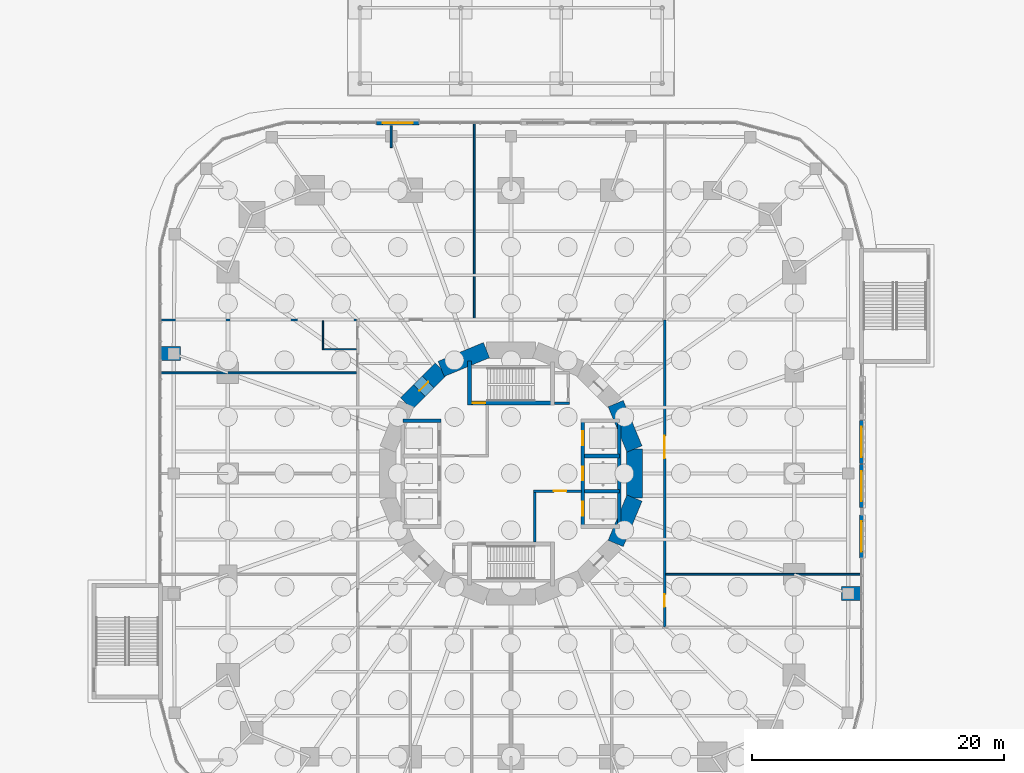
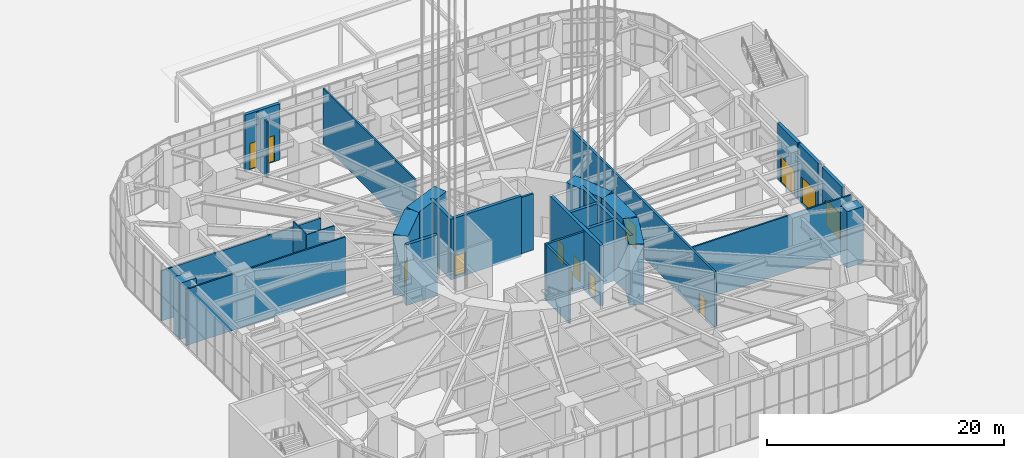
# One storey, part 27 of 43: 29 walls, 12 doors, 12 openings.
"""IFC4 building model written with IfcOpenShell, lengths in metres."""

from ifc_helpers import new_model, si_unit, direction, frame, frame_2d, origin, place, context, subcontext, project, spatial, rectangle, extrude, material, layer, layer_set, type_object, element, fill, save


model = new_model("IFC4")

# Units and contexts
model_context = context("Model", 3, precision=1e-05, world=origin(), true_north=direction((0.0, 1.0)))
body_context = subcontext(model_context, "Body", "Model", "MODEL_VIEW")
ifc_project = project(units=[si_unit("LENGTHUNIT", "METRE"), si_unit("AREAUNIT", "SQUARE_METRE"), si_unit("VOLUMEUNIT", "CUBIC_METRE"), si_unit("PLANEANGLEUNIT", "RADIAN"), si_unit("MASSUNIT", "GRAM", prefix="KILO")], contexts=[model_context])

# Site, building, storey
site_placement = place(None, origin())
site = spatial("IfcSite", under=ifc_project, at=site_placement, CompositionType="ELEMENT")
building_placement = place(site_placement, origin())
building = spatial("IfcBuilding", under=site, at=building_placement, Name="Nakasero Lantern House", CompositionType="ELEMENT")
storey_placement = place(building_placement, origin())
storey = spatial("IfcBuildingStorey", under=building, at=storey_placement, Name="L00", CompositionType="ELEMENT", Elevation=0.0)

# Walls
ifc_material_1 = material(Name="Blockwork", Category="masonry")
ifc_layer_1 = layer(ifc_material_1, 1.10009765625)
ifc_layer_set_1 = layer_set([ifc_layer_1], Name="Column pier 1100")
wall_type_1 = type_object("IfcWallType", Name="Column pier 1100", PredefinedType="PARTITIONING", material=ifc_layer_set_1)
for number, where, z_axis, x_axis, name in (
    (1, (26.25, -9.52880859375, 0.0), (0.0, 0.0, 1.0), (1.0, 0.0, 0.0), "Column pier L00 PN0-00-2"),
    (2, (-26.25, 9.52880859375, 0.0), (0.0, 0.0, 1.0), (-1.0, 0.0, 0.0), "Column pier L00 PN2-00-2"),
):
    element("IfcWall", number, at=place(storey_placement, frame(where, z_axis=z_axis, x_axis=x_axis)), inside=storey, type_object=wall_type_1, Name=name, PredefinedType="PARTITIONING", context=body_context, shape_type="SweptSolid", body=[
        extrude(rectangle(XDim=1.60009765625, YDim=1.10009765625, at=frame_2d((0.800048828125, 0.0))), origin(), (0.0, 0.0, 1.0), 5.800048828125),
    ])

# Wall, openings, doors
ifc_material_2 = material(Name="Concrete C50/60", Category="concrete")
ifc_layer_2 = layer(ifc_material_2, 0.300048828125)
ifc_layer_set_2 = layer_set([ifc_layer_2], Name="Core inner wall 300")
wall_type_2 = type_object("IfcWallType", Name="Core inner wall 300", PredefinedType="SHEAR", material=ifc_layer_set_2)
wall_1_placement = place(storey_placement, frame((5.699951171875, -4.199951171875, -0.25), z_axis=(0.0, 0.0, 1.0), x_axis=(0.0, 1.0, 0.0)))
wall_1 = element("IfcWall", 3, at=wall_1_placement, inside=storey, type_object=wall_type_2, Name="Core inner wall L00 LE", PredefinedType="SHEAR", context=body_context, shape_type="SweptSolid", body=[
    extrude(rectangle(XDim=8.39990234375, YDim=0.300048828125, at=frame_2d((4.199951171875, 0.0))), origin(), (0.0, 0.0, 1.0), 6.25),
])
opening_1_placement = place(wall_1_placement, frame((0.85009765625, 0.0, 0.25)))
opening_1 = element("IfcOpeningElement", 4, at=opening_1_placement, cuts=wall_1, Name="Opening LD", PredefinedType="OPENING", context=body_context, shape_type="SweptSolid", body=[
    extrude(rectangle(XDim=1.10009765625, YDim=2.10009765625, at=frame_2d((0.550048828125, 1.050048828125))), frame((0.0, 0.169921875, 0.0), z_axis=(0.0, -1.0, 0.0), x_axis=(1.0, 0.0, 0.0)), (0.0, 0.0, 1.0), 0.340087890625),
])
opening_2_placement = place(wall_1_placement, frame((3.64990234375, 0.0, 0.25)))
opening_2 = element("IfcOpeningElement", 5, at=opening_2_placement, cuts=wall_1, Name="Opening LD", PredefinedType="OPENING", context=body_context, shape_type="SweptSolid", body=[
    extrude(rectangle(XDim=1.10009765625, YDim=2.10009765625, at=frame_2d((0.550048828125, 1.050048828125))), frame((0.0, 0.169921875, 0.0), z_axis=(0.0, -1.0, 0.0), x_axis=(1.0, 0.0, 0.0)), (0.0, 0.0, 1.0), 0.340087890625),
])
opening_3_placement = place(wall_1_placement, frame((6.449951171875, 0.0, 0.25)))
opening_3 = element("IfcOpeningElement", 6, at=opening_3_placement, cuts=wall_1, Name="Opening LD", PredefinedType="OPENING", context=body_context, shape_type="SweptSolid", body=[
    extrude(rectangle(XDim=1.10009765625, YDim=2.10009765625, at=frame_2d((0.550048828125, 1.050048828125))), frame((0.0, 0.169921875, 0.0), z_axis=(0.0, -1.0, 0.0), x_axis=(1.0, 0.0, 0.0)), (0.0, 0.0, 1.0), 0.340087890625),
])
ifc_material_3 = material(Name="Steel S355", Category="steel")
door_type_1 = type_object("IfcDoorType", Name="Lift landing door E120 1100", OperationType="SLIDING_TO_LEFT", PredefinedType="DOOR", material=ifc_material_3)
door_1_placement = place(opening_1_placement, origin())
door_1 = element("IfcDoor", 7, at=door_1_placement, inside=storey, type_object=door_type_1, Name="Lift landing door LE1", OperationType="SLIDING_TO_LEFT", OverallHeight=2.10009765625, OverallWidth=1.10009765625, PredefinedType="DOOR", context=body_context, shape_type="SweptSolid", body=[
    extrude(rectangle(XDim=1.10009765625, YDim=2.10009765625, at=frame_2d((0.550048828125, 1.050048828125))), frame((0.0, 0.02490234375, 0.0), z_axis=(0.0, -1.0, 0.0), x_axis=(1.0, 0.0, 0.0)), (0.0, 0.0, 1.0), 0.050048828125),
])
fill(opening_1, door_1)
door_2_placement = place(opening_2_placement, origin())
door_2 = element("IfcDoor", 8, at=door_2_placement, inside=storey, type_object=door_type_1, Name="Lift landing door LE2", OperationType="SLIDING_TO_LEFT", OverallHeight=2.10009765625, OverallWidth=1.10009765625, PredefinedType="DOOR", context=body_context, shape_type="SweptSolid", body=[
    extrude(rectangle(XDim=1.10009765625, YDim=2.10009765625, at=frame_2d((0.550048828125, 1.050048828125))), frame((0.0, 0.02490234375, 0.0), z_axis=(0.0, -1.0, 0.0), x_axis=(1.0, 0.0, 0.0)), (0.0, 0.0, 1.0), 0.050048828125),
])
fill(opening_2, door_2)
door_3_placement = place(opening_3_placement, origin())
door_3 = element("IfcDoor", 9, at=door_3_placement, inside=storey, type_object=door_type_1, Name="Lift landing door LE3", OperationType="SLIDING_TO_LEFT", OverallHeight=2.10009765625, OverallWidth=1.10009765625, PredefinedType="DOOR", context=body_context, shape_type="SweptSolid", body=[
    extrude(rectangle(XDim=1.10009765625, YDim=2.10009765625, at=frame_2d((0.550048828125, 1.050048828125))), frame((0.0, 0.02490234375, 0.0), z_axis=(0.0, -1.0, 0.0), x_axis=(1.0, 0.0, 0.0)), (0.0, 0.0, 1.0), 0.050048828125),
])
fill(opening_3, door_3)

# Walls
wall_2_placement = place(storey_placement, frame((-8.60009765625, 4.199951171875, -0.25), z_axis=(0.0, 0.0, 1.0), x_axis=(1.0, 0.0, 0.0)))
element("IfcWall", 10, at=wall_2_placement, inside=storey, type_object=wall_type_2, Name="Core inner wall L00 LWN", PredefinedType="SHEAR", context=body_context, shape_type="SweptSolid", body=[
    extrude(rectangle(XDim=3.050048828125, YDim=0.300048828125, at=frame_2d((1.52490234375, 0.0))), origin(), (0.0, 0.0, 1.0), 6.25),
])
wall_3_placement = place(storey_placement, frame((8.60009765625, -4.199951171875, -0.25), z_axis=(0.0, 0.0, 1.0), x_axis=(0.0, 1.0, 0.0)))
element("IfcWall", 11, at=wall_3_placement, inside=storey, type_object=wall_type_2, Name="Core inner wall L00 LEB", PredefinedType="SHEAR", context=body_context, shape_type="SweptSolid", body=[
    extrude(rectangle(XDim=8.39990234375, YDim=0.300048828125, at=frame_2d((4.199951171875, 0.0))), origin(), (0.0, 0.0, 1.0), 6.25),
])
for number, where, z_axis, x_axis, name in (
    (12, (5.85009765625, -1.39990234375, -0.25), (0.0, 0.0, 1.0), (1.0, 0.0, 0.0), "Core inner wall L00 LE1"),
    (13, (5.85009765625, 1.39990234375, -0.25), (0.0, 0.0, 1.0), (1.0, 0.0, 0.0), "Core inner wall L00 LE2"),
):
    element("IfcWall", number, at=place(storey_placement, frame(where, z_axis=z_axis, x_axis=x_axis)), inside=storey, type_object=wall_type_2, Name=name, PredefinedType="SHEAR", context=body_context, shape_type="SweptSolid", body=[
        extrude(rectangle(XDim=2.75, YDim=0.300048828125, at=frame_2d((1.375, 0.0))), origin(), (0.0, 0.0, 1.0), 6.25),
    ])

# Wall, opening, door
wall_4_placement = place(storey_placement, frame((-3.449951171875, 5.60009765625, -0.25), z_axis=(0.0, 0.0, 1.0), x_axis=(1.0, 0.0, 0.0)))
wall_4 = element("IfcWall", 14, at=wall_4_placement, inside=storey, type_object=wall_type_2, Name="Core inner wall L00 SN", PredefinedType="SHEAR", context=body_context, shape_type="SweptSolid", body=[
    extrude(rectangle(XDim=6.89990234375, YDim=0.300048828125, at=frame_2d((3.449951171875, 0.0))), origin(), (0.0, 0.0, 1.0), 6.25),
])
opening_4_placement = place(wall_4_placement, frame((0.39990234375, 0.0, 0.25)))
opening_4 = element("IfcOpeningElement", 15, at=opening_4_placement, cuts=wall_4, Name="Opening D05", PredefinedType="OPENING", context=body_context, shape_type="SweptSolid", body=[
    extrude(rectangle(XDim=1.0, YDim=2.10009765625, at=frame_2d((0.5, 1.050048828125))), frame((0.0, 0.169921875, 0.0), z_axis=(0.0, -1.0, 0.0), x_axis=(1.0, 0.0, 0.0)), (0.0, 0.0, 1.0), 0.340087890625),
])
ifc_material_4 = material(Name="Timber C24", Category="wood")
door_type_2 = type_object("IfcDoorType", Name="Core door FD60S 1000", OperationType="SINGLE_SWING_LEFT", PredefinedType="DOOR", material=ifc_material_4)
door_4_placement = place(opening_4_placement, origin())
door_4 = element("IfcDoor", 16, at=door_4_placement, inside=storey, type_object=door_type_2, Name="Door L00 D-ST1", OperationType="SINGLE_SWING_LEFT", OverallHeight=2.10009765625, OverallWidth=1.0, PredefinedType="DOOR", context=body_context, shape_type="SweptSolid", body=[
    extrude(rectangle(XDim=1.0, YDim=2.10009765625, at=frame_2d((0.5, 1.050048828125))), frame((0.0, 0.02490234375, 0.0), z_axis=(0.0, -1.0, 0.0), x_axis=(1.0, 0.0, 0.0)), (0.0, 0.0, 1.0), 0.050048828125),
])
fill(opening_4, door_4)

# Walls
wall_5_placement = place(storey_placement, frame((-3.300048828125, 5.449951171875, -0.25), z_axis=(0.0, 0.0, 1.0), x_axis=(0.0, 1.0, 0.0)))
element("IfcWall", 17, at=wall_5_placement, inside=storey, type_object=wall_type_2, Name="Core inner wall L00 SNW", PredefinedType="SHEAR", context=body_context, shape_type="SweptSolid", body=[
    extrude(rectangle(XDim=3.5, YDim=0.300048828125, at=frame_2d((1.75, 0.0))), origin(), (0.0, 0.0, 1.0), 6.25),
])
ifc_material_5 = material(Name="Concrete C50/60", Category="concrete")
ifc_layer_3 = layer(ifc_material_5, 1.300048828125)
ifc_layer_set_3 = layer_set([ifc_layer_3], Name="Core wall 1300")
wall_type_3 = type_object("IfcWallType", Name="Core wall 1300", PredefinedType="SHEAR", material=ifc_layer_set_3)
for number, where, z_axis, x_axis, name in (
    (18, (9.807861328125, 1.950927734375, -0.25), (0.0, 0.0, 1.0), (-0.382690736062, 0.923876507187, 0.0), "Core wall L00 facet 1"),
    (19, (-1.950927734375, 9.807861328125, -0.25), (0.0, 0.0, 1.0), (-0.923876507187, -0.382690736062, 0.0), "Core wall L00 facet 5"),
):
    element("IfcWall", number, at=place(storey_placement, frame(where, z_axis=z_axis, x_axis=x_axis)), inside=storey, type_object=wall_type_3, Name=name, PredefinedType="SHEAR", context=body_context, shape_type="SweptSolid", body=[
        extrude(rectangle(XDim=3.90185546875, YDim=1.300048828125, at=frame_2d((1.950927734375, 0.0))), origin(), (0.0, 0.0, 1.0), 6.25),
    ])

# Wall, opening, door
wall_6_placement = place(storey_placement, frame((-5.5556640625, 8.314697265625, -0.25), z_axis=(0.0, 0.0, 1.0), x_axis=(-0.707106781187, -0.707106781187, 0.0)))
wall_6 = element("IfcWall", 20, at=wall_6_placement, inside=storey, type_object=wall_type_3, Name="Core wall L00 facet 6", PredefinedType="SHEAR", context=body_context, shape_type="SweptSolid", body=[
    extrude(rectangle(XDim=3.90185546875, YDim=1.300048828125, at=frame_2d((1.950927734375, 0.0))), origin(), (0.0, 0.0, 1.0), 6.25),
])
opening_5_placement = place(wall_6_placement, frame((1.450927734375, 0.0, 0.25)))
opening_5 = element("IfcOpeningElement", 21, at=opening_5_placement, cuts=wall_6, Name="Opening D05", PredefinedType="OPENING", context=body_context, shape_type="SweptSolid", body=[
    extrude(rectangle(XDim=1.0, YDim=2.10009765625, at=frame_2d((0.5, 1.050048828125))), frame((0.0, 0.669921875, 0.0), z_axis=(0.0, -1.0, 0.0), x_axis=(1.0, 0.0, 0.0)), (0.0, 0.0, 1.0), 1.340087890625),
])
door_5_placement = place(opening_5_placement, origin())
door_5 = element("IfcDoor", 22, at=door_5_placement, inside=storey, type_object=door_type_2, Name="Door L00 D-CORE06", OperationType="SINGLE_SWING_LEFT", OverallHeight=2.10009765625, OverallWidth=1.0, PredefinedType="DOOR", context=body_context, shape_type="SweptSolid", body=[
    extrude(rectangle(XDim=1.0, YDim=2.10009765625, at=frame_2d((0.5, 1.050048828125))), frame((0.0, 0.02490234375, 0.0), z_axis=(0.0, -1.0, 0.0), x_axis=(1.0, 0.0, 0.0)), (0.0, 0.0, 1.0), 0.050048828125),
])
fill(opening_5, door_5)

# Walls
for number, where, z_axis, x_axis, name in (
    (23, (8.314697265625, -5.5556640625, -0.25), (0.0, 0.0, 1.0), (0.382690736062, 0.923876507187, 0.0), "Core wall L00 facet 15"),
    (24, (9.807861328125, -1.950927734375, -0.25), (0.0, 0.0, 1.0), (0.0, 1.0, 0.0), "Core wall L00 facet 16"),
):
    element("IfcWall", number, at=place(storey_placement, frame(where, z_axis=z_axis, x_axis=x_axis)), inside=storey, type_object=wall_type_3, Name=name, PredefinedType="SHEAR", context=body_context, shape_type="SweptSolid", body=[
        extrude(rectangle(XDim=3.90185546875, YDim=1.300048828125, at=frame_2d((1.950927734375, 0.0))), origin(), (0.0, 0.0, 1.0), 6.25),
    ])

# Wall, openings, doors
ifc_material_6 = material(Name="Blockwork", Category="masonry")
ifc_layer_4 = layer(ifc_material_6, 0.199951171875)
ifc_layer_set_4 = layer_set([ifc_layer_4], Name="Corridor wall 200")
wall_type_4 = type_object("IfcWallType", Name="Corridor wall 200", PredefinedType="PARTITIONING", material=ifc_layer_set_4)
wall_7_placement = place(storey_placement, frame((12.199951171875, -12.199951171875, 0.0), z_axis=(0.0, 0.0, 1.0), x_axis=(0.0, 1.0, 0.0)))
wall_7 = element("IfcWall", 25, at=wall_7_placement, inside=storey, type_object=wall_type_4, Name="Corridor wall L00 CW0", PredefinedType="PARTITIONING", context=body_context, shape_type="SweptSolid", body=[
    extrude(rectangle(XDim=24.39990234375, YDim=0.199951171875, at=frame_2d((12.199951171875, 0.0))), origin(), (0.0, 0.0, 1.0), 5.800048828125),
])
opening_6_placement = place(wall_7_placement, frame((1.60009765625, 0.0, 0.0)))
opening_6 = element("IfcOpeningElement", 26, at=opening_6_placement, cuts=wall_7, Name="Opening D07", PredefinedType="OPENING", context=body_context, shape_type="SweptSolid", body=[
    extrude(rectangle(XDim=1.0, YDim=2.10009765625, at=frame_2d((0.5, 1.050048828125))), frame((0.0, 0.119873046875, 0.0), z_axis=(0.0, -1.0, 0.0), x_axis=(1.0, 0.0, 0.0)), (0.0, 0.0, 1.0), 0.239990234375),
])
opening_7_placement = place(wall_7_placement, frame((13.401611328125, 0.0, 0.0)))
opening_7 = element("IfcOpeningElement", 27, at=opening_7_placement, cuts=wall_7, Name="Opening D12", PredefinedType="OPENING", context=body_context, shape_type="SweptSolid", body=[
    extrude(rectangle(XDim=1.800048828125, YDim=2.39990234375, at=frame_2d((0.89990234375, 1.199951171875))), frame((0.0, 0.119873046875, 0.0), z_axis=(0.0, -1.0, 0.0), x_axis=(1.0, 0.0, 0.0)), (0.0, 0.0, 1.0), 0.239990234375),
])
ifc_material_7 = material(Name="Timber C24", Category="wood")
door_type_3 = type_object("IfcDoorType", Name="Room door FD30S 1000", OperationType="SINGLE_SWING_LEFT", PredefinedType="DOOR", material=ifc_material_7)
door_6_placement = place(opening_6_placement, origin())
door_6 = element("IfcDoor", 28, at=door_6_placement, inside=storey, type_object=door_type_3, Name="Door L00 D0-00", OperationType="SINGLE_SWING_LEFT", OverallHeight=2.10009765625, OverallWidth=1.0, PredefinedType="DOOR", context=body_context, shape_type="SweptSolid", body=[
    extrude(rectangle(XDim=1.0, YDim=2.10009765625, at=frame_2d((0.5, 1.050048828125))), frame((0.0, 0.02490234375, 0.0), z_axis=(0.0, -1.0, 0.0), x_axis=(1.0, 0.0, 0.0)), (0.0, 0.0, 1.0), 0.050048828125),
])
fill(opening_6, door_6)
ifc_material_8 = material(Name="Timber C24", Category="wood")
door_type_4 = type_object("IfcDoorType", Name="Room doors FD30S 1800", OperationType="DOUBLE_DOOR_SINGLE_SWING", PredefinedType="DOOR", material=ifc_material_8)
door_7_placement = place(opening_7_placement, origin())
door_7 = element("IfcDoor", 29, at=door_7_placement, inside=storey, type_object=door_type_4, Name="Door L00 D0-01", OperationType="DOUBLE_DOOR_SINGLE_SWING", OverallHeight=2.39990234375, OverallWidth=1.800048828125, PredefinedType="DOOR", context=body_context, shape_type="SweptSolid", body=[
    extrude(rectangle(XDim=1.800048828125, YDim=2.39990234375, at=frame_2d((0.89990234375, 1.199951171875))), frame((0.0, 0.02490234375, 0.0), z_axis=(0.0, -1.0, 0.0), x_axis=(1.0, 0.0, 0.0)), (0.0, 0.0, 1.0), 0.050048828125),
])
fill(opening_7, door_7)

# Walls
ifc_material_9 = material(Name="Blockwork", Category="masonry")
ifc_layer_5 = layer(ifc_material_9, 0.10009765625)
ifc_layer_set_5 = layer_set([ifc_layer_5], Name="En-suite wall 100")
wall_type_5 = type_object("IfcWallType", Name="En-suite wall 100", PredefinedType="PARTITIONING", material=ifc_layer_set_5)
wall_8_placement = place(storey_placement, frame((-12.300048828125, 9.875, 0.0), z_axis=(0.0, 0.0, 1.0), x_axis=(-1.0, 0.0, 0.0)))
element("IfcWall", 30, at=wall_8_placement, inside=storey, type_object=wall_type_5, Name="En-suite wall L00 PA2-00", PredefinedType="PARTITIONING", context=body_context, shape_type="SweptSolid", body=[
    extrude(rectangle(XDim=2.699951171875, YDim=0.10009765625, at=frame_2d((1.35009765625, 0.0))), origin(), (0.0, 0.0, 1.0), 5.800048828125),
])
wall_9_placement = place(storey_placement, frame((-14.949951171875, 12.125, 0.0), z_axis=(0.0, 0.0, 1.0), x_axis=(0.0, -1.0, 0.0)))
element("IfcWall", 31, at=wall_9_placement, inside=storey, type_object=wall_type_5, Name="En-suite wall L00 PB2-00", PredefinedType="PARTITIONING", context=body_context, shape_type="SweptSolid", body=[
    extrude(rectangle(XDim=2.300048828125, YDim=0.10009765625, at=frame_2d((1.14990234375, 0.0))), origin(), (0.0, 0.0, 1.0), 5.800048828125),
])

# Wall, opening, door
ifc_material_10 = material(Name="Concrete C40/50", Category="concrete")
ifc_layer_6 = layer(ifc_material_10, 0.300048828125)
ifc_layer_set_6 = layer_set([ifc_layer_6], Name="Entrance portal wall 300")
wall_type_6 = type_object("IfcWallType", Name="Entrance portal wall 300", PredefinedType="SOLIDWALL", material=ifc_layer_set_6)
wall_10_placement = place(storey_placement, frame((27.85009765625, -2.699951171875, 0.0), z_axis=(0.0, 0.0, 1.0), x_axis=(0.0, 1.0, 0.0)))
wall_10 = element("IfcWall", 32, at=wall_10_placement, inside=storey, type_object=wall_type_6, Name="Entrance portal L00 1", PredefinedType="SOLIDWALL", context=body_context, shape_type="SweptSolid", body=[
    extrude(rectangle(XDim=3.39990234375, YDim=0.300048828125, at=frame_2d((1.699951171875, 0.0))), origin(), (0.0, 0.0, 1.0), 5.800048828125),
])
opening_8_placement = place(wall_10_placement, frame((0.5, 0.0, 0.0)))
opening_8 = element("IfcOpeningElement", 33, at=opening_8_placement, cuts=wall_10, Name="Opening D08", PredefinedType="OPENING", context=body_context, shape_type="SweptSolid", body=[
    extrude(rectangle(XDim=2.39990234375, YDim=2.699951171875, at=frame_2d((1.199951171875, 1.35009765625))), frame((0.0, 0.169921875, 0.0), z_axis=(0.0, -1.0, 0.0), x_axis=(1.0, 0.0, 0.0)), (0.0, 0.0, 1.0), 0.340087890625),
])
ifc_material_11 = material(Name="Aluminium 6063-T6 and glass", Category="aluminium")
door_type_5 = type_object("IfcDoorType", Name="Entrance doors 2400x2700", OperationType="DOUBLE_DOOR_SINGLE_SWING", PredefinedType="DOOR", material=ifc_material_11)
door_8_placement = place(opening_8_placement, frame((2.39990234375, 0.0, 0.0), z_axis=(0.0, 0.0, 1.0), x_axis=(-1.0, 0.0, 0.0)))
door_8 = element("IfcDoor", 34, at=door_8_placement, inside=storey, type_object=door_type_5, Name="External door L00 0-0", OperationType="DOUBLE_DOOR_SINGLE_SWING", OverallHeight=2.699951171875, OverallWidth=2.39990234375, PredefinedType="DOOR", context=body_context, shape_type="SweptSolid", body=[
    extrude(rectangle(XDim=2.39990234375, YDim=2.699951171875, at=frame_2d((1.199951171875, 1.35009765625))), frame((0.0, 0.02490234375, 0.0), z_axis=(0.0, -1.0, 0.0), x_axis=(1.0, 0.0, 0.0)), (0.0, 0.0, 1.0), 0.050048828125),
])
fill(opening_8, door_8)

wall_11_placement = place(storey_placement, frame((27.85009765625, 0.800048828125, 0.0), z_axis=(0.0, 0.0, 1.0), x_axis=(0.0, 1.0, 0.0)))
wall_11 = element("IfcWall", 35, at=wall_11_placement, inside=storey, type_object=wall_type_6, Name="Entrance portal L00 3", PredefinedType="SOLIDWALL", context=body_context, shape_type="SweptSolid", body=[
    extrude(rectangle(XDim=3.39990234375, YDim=0.300048828125, at=frame_2d((1.699951171875, 0.0))), origin(), (0.0, 0.0, 1.0), 5.800048828125),
])
opening_9_placement = place(wall_11_placement, frame((0.5, 0.0, 0.0)))
opening_9 = element("IfcOpeningElement", 36, at=opening_9_placement, cuts=wall_11, Name="Opening D08", PredefinedType="OPENING", context=body_context, shape_type="SweptSolid", body=[
    extrude(rectangle(XDim=2.39990234375, YDim=2.699951171875, at=frame_2d((1.199951171875, 1.35009765625))), frame((0.0, 0.169921875, 0.0), z_axis=(0.0, -1.0, 0.0), x_axis=(1.0, 0.0, 0.0)), (0.0, 0.0, 1.0), 0.340087890625),
])
door_9_placement = place(opening_9_placement, frame((2.39990234375, 0.0, 0.0), z_axis=(0.0, 0.0, 1.0), x_axis=(-1.0, 0.0, 0.0)))
door_9 = element("IfcDoor", 37, at=door_9_placement, inside=storey, type_object=door_type_5, Name="External door L00 0-2", OperationType="DOUBLE_DOOR_SINGLE_SWING", OverallHeight=2.699951171875, OverallWidth=2.39990234375, PredefinedType="DOOR", context=body_context, shape_type="SweptSolid", body=[
    extrude(rectangle(XDim=2.39990234375, YDim=2.699951171875, at=frame_2d((1.199951171875, 1.35009765625))), frame((0.0, 0.02490234375, 0.0), z_axis=(0.0, -1.0, 0.0), x_axis=(1.0, 0.0, 0.0)), (0.0, 0.0, 1.0), 0.050048828125),
])
fill(opening_9, door_9)

wall_12_placement = place(storey_placement, frame((27.85009765625, -6.699951171875, 0.0), z_axis=(0.0, 0.0, 1.0), x_axis=(0.0, 1.0, 0.0)))
wall_12 = element("IfcWall", 38, at=wall_12_placement, inside=storey, type_object=wall_type_6, Name="Entrance portal L00 4", PredefinedType="SOLIDWALL", context=body_context, shape_type="SweptSolid", body=[
    extrude(rectangle(XDim=3.39990234375, YDim=0.300048828125, at=frame_2d((1.699951171875, 0.0))), origin(), (0.0, 0.0, 1.0), 5.800048828125),
])
opening_10_placement = place(wall_12_placement, frame((0.5, 0.0, 0.0)))
opening_10 = element("IfcOpeningElement", 39, at=opening_10_placement, cuts=wall_12, Name="Opening D08", PredefinedType="OPENING", context=body_context, shape_type="SweptSolid", body=[
    extrude(rectangle(XDim=2.39990234375, YDim=2.699951171875, at=frame_2d((1.199951171875, 1.35009765625))), frame((0.0, 0.169921875, 0.0), z_axis=(0.0, -1.0, 0.0), x_axis=(1.0, 0.0, 0.0)), (0.0, 0.0, 1.0), 0.340087890625),
])
door_10_placement = place(opening_10_placement, frame((2.39990234375, 0.0, 0.0), z_axis=(0.0, 0.0, 1.0), x_axis=(-1.0, 0.0, 0.0)))
door_10 = element("IfcDoor", 40, at=door_10_placement, inside=storey, type_object=door_type_5, Name="External door L00 0-3", OperationType="DOUBLE_DOOR_SINGLE_SWING", OverallHeight=2.699951171875, OverallWidth=2.39990234375, PredefinedType="DOOR", context=body_context, shape_type="SweptSolid", body=[
    extrude(rectangle(XDim=2.39990234375, YDim=2.699951171875, at=frame_2d((1.199951171875, 1.35009765625))), frame((0.0, 0.02490234375, 0.0), z_axis=(0.0, -1.0, 0.0), x_axis=(1.0, 0.0, 0.0)), (0.0, 0.0, 1.0), 0.050048828125),
])
fill(opening_10, door_10)

wall_13_placement = place(storey_placement, frame((-7.300048828125, 27.85009765625, 0.0), z_axis=(0.0, 0.0, 1.0), x_axis=(-1.0, 0.0, 0.0)))
wall_13 = element("IfcWall", 41, at=wall_13_placement, inside=storey, type_object=wall_type_6, Name="Entrance portal L00 3", PredefinedType="SOLIDWALL", context=body_context, shape_type="SweptSolid", body=[
    extrude(rectangle(XDim=3.39990234375, YDim=0.300048828125, at=frame_2d((1.699951171875, 0.0))), origin(), (0.0, 0.0, 1.0), 5.800048828125),
])
opening_11_placement = place(wall_13_placement, frame((0.5, 0.0, 0.0)))
opening_11 = element("IfcOpeningElement", 42, at=opening_11_placement, cuts=wall_13, Name="Opening D08", PredefinedType="OPENING", context=body_context, shape_type="SweptSolid", body=[
    extrude(rectangle(XDim=2.39990234375, YDim=2.699951171875, at=frame_2d((1.199951171875, 1.35009765625))), frame((0.0, 0.169921875, 0.0), z_axis=(0.0, -1.0, 0.0), x_axis=(1.0, 0.0, 0.0)), (0.0, 0.0, 1.0), 0.340087890625),
])
door_11_placement = place(opening_11_placement, frame((2.39990234375, 0.0, 0.0), z_axis=(0.0, 0.0, 1.0), x_axis=(-1.0, 0.0, 0.0)))
door_11 = element("IfcDoor", 43, at=door_11_placement, inside=storey, type_object=door_type_5, Name="External door L00 1-2", OperationType="DOUBLE_DOOR_SINGLE_SWING", OverallHeight=2.699951171875, OverallWidth=2.39990234375, PredefinedType="DOOR", context=body_context, shape_type="SweptSolid", body=[
    extrude(rectangle(XDim=2.39990234375, YDim=2.699951171875, at=frame_2d((1.199951171875, 1.35009765625))), frame((0.0, 0.02490234375, 0.0), z_axis=(0.0, -1.0, 0.0), x_axis=(1.0, 0.0, 0.0)), (0.0, 0.0, 1.0), 0.050048828125),
])
fill(opening_11, door_11)

ifc_material_12 = material(Name="Blockwork", Category="masonry")
ifc_layer_7 = layer(ifc_material_12, 0.199951171875)
ifc_layer_set_7 = layer_set([ifc_layer_7], Name="Fire lobby wall 200")
wall_type_7 = type_object("IfcWallType", Name="Fire lobby wall 200", PredefinedType="PARTITIONING", material=ifc_layer_set_7)
wall_14_placement = place(storey_placement, frame((5.60009765625, -1.39990234375, 0.0), z_axis=(0.0, 0.0, 1.0), x_axis=(-1.0, 0.0, 0.0)))
wall_14 = element("IfcWall", 44, at=wall_14_placement, inside=storey, type_object=wall_type_7, Name="Fire lobby wall L00 W-FL2N", PredefinedType="PARTITIONING", context=body_context, shape_type="SweptSolid", body=[
    extrude(rectangle(XDim=3.800048828125, YDim=0.199951171875, at=frame_2d((1.89990234375, 0.0))), origin(), (0.0, 0.0, 1.0), 5.800048828125),
])
opening_12_placement = place(wall_14_placement, frame((1.199951171875, 0.0, 0.0)))
opening_12 = element("IfcOpeningElement", 45, at=opening_12_placement, cuts=wall_14, Name="Opening D05", PredefinedType="OPENING", context=body_context, shape_type="SweptSolid", body=[
    extrude(rectangle(XDim=1.0, YDim=2.10009765625, at=frame_2d((0.5, 1.050048828125))), frame((0.0, 0.119873046875, 0.0), z_axis=(0.0, -1.0, 0.0), x_axis=(1.0, 0.0, 0.0)), (0.0, 0.0, 1.0), 0.239990234375),
])
door_12_placement = place(opening_12_placement, origin())
door_12 = element("IfcDoor", 46, at=door_12_placement, inside=storey, type_object=door_type_2, Name="Door L00 D-FL2", OperationType="SINGLE_SWING_LEFT", OverallHeight=2.10009765625, OverallWidth=1.0, PredefinedType="DOOR", context=body_context, shape_type="SweptSolid", body=[
    extrude(rectangle(XDim=1.0, YDim=2.10009765625, at=frame_2d((0.5, 1.050048828125))), frame((0.0, 0.02490234375, 0.0), z_axis=(0.0, -1.0, 0.0), x_axis=(1.0, 0.0, 0.0)), (0.0, 0.0, 1.0), 0.050048828125),
])
fill(opening_12, door_12)

# Walls
wall_15_placement = place(storey_placement, frame((1.89990234375, -1.5, 0.0), z_axis=(0.0, 0.0, 1.0), x_axis=(0.0, -1.0, 0.0)))
element("IfcWall", 47, at=wall_15_placement, inside=storey, type_object=wall_type_7, Name="Fire lobby wall L00 W-FL2W", PredefinedType="PARTITIONING", context=body_context, shape_type="SweptSolid", body=[
    extrude(rectangle(XDim=3.949951171875, YDim=0.199951171875, at=frame_2d((1.97509765625, 0.0))), origin(), (0.0, 0.0, 1.0), 5.800048828125),
])
wall_16_placement = place(storey_placement, frame((3.449951171875, 5.60009765625, 0.0), z_axis=(0.0, 0.0, 1.0), x_axis=(1.0, 0.0, 0.0)))
element("IfcWall", 48, at=wall_16_placement, inside=storey, type_object=wall_type_7, Name="Fire lobby wall L00 W-RS1S", PredefinedType="PARTITIONING", context=body_context, shape_type="SweptSolid", body=[
    extrude(rectangle(XDim=1.199951171875, YDim=0.199951171875, at=frame_2d((0.60009765625, 0.0))), origin(), (0.0, 0.0, 1.0), 5.800048828125),
])
ifc_material_13 = material(Name="Blockwork", Category="masonry")
ifc_layer_8 = layer(ifc_material_13, 0.14990234375)
ifc_layer_set_8 = layer_set([ifc_layer_8], Name="Party wall 150")
wall_type_8 = type_object("IfcWallType", Name="Party wall 150", PredefinedType="PARTITIONING", material=ifc_layer_set_8)
for number, where, z_axis, x_axis, name in (
    (49, (12.300048828125, -8.0, 0.0), (0.0, 0.0, 1.0), (1.0, 0.0, 0.0), "Party wall L00 PW0-01"),
    (50, (-2.927978515625, 12.300048828125, 0.0), (0.0, 0.0, 1.0), (0.0, 1.0, 0.0), "Party wall L00 PW1-01"),
):
    element("IfcWall", number, at=place(storey_placement, frame(where, z_axis=z_axis, x_axis=x_axis)), inside=storey, type_object=wall_type_8, Name=name, PredefinedType="PARTITIONING", context=body_context, shape_type="SweptSolid", body=[
        extrude(rectangle(XDim=15.550048828125, YDim=0.14990234375, at=frame_2d((7.77490234375, 0.0))), origin(), (0.0, 0.0, 1.0), 5.800048828125),
    ])
wall_17_placement = place(storey_placement, frame((-9.52880859375, 25.89990234375, 0.0), z_axis=(0.0, 0.0, 1.0), x_axis=(0.0, 1.0, 0.0)))
element("IfcWall", 51, at=wall_17_placement, inside=storey, type_object=wall_type_8, Name="Party wall L00 PN1-01-4", PredefinedType="PARTITIONING", context=body_context, shape_type="SweptSolid", body=[
    extrude(rectangle(XDim=1.75, YDim=0.14990234375, at=frame_2d((0.875, 0.0))), origin(), (0.0, 0.0, 1.0), 5.800048828125),
])
wall_18_placement = place(storey_placement, frame((-12.300048828125, 12.199951171875, 0.0), z_axis=(0.0, 0.0, 1.0), x_axis=(-1.0, 0.0, 0.0)))
element("IfcWall", 52, at=wall_18_placement, inside=storey, type_object=wall_type_8, Name="Party wall L00 PW2-00", PredefinedType="PARTITIONING", context=body_context, shape_type="SweptSolid", body=[
    extrude(rectangle(XDim=15.550048828125, YDim=0.14990234375, at=frame_2d((7.77490234375, 0.0))), origin(), (0.0, 0.0, 1.0), 5.187744140625),
])
wall_19_placement = place(storey_placement, frame((-12.300048828125, 8.0, 0.0), z_axis=(0.0, 0.0, 1.0), x_axis=(-1.0, 0.0, 0.0)))
element("IfcWall", 53, at=wall_19_placement, inside=storey, type_object=wall_type_8, Name="Party wall L00 PW2-01", PredefinedType="PARTITIONING", context=body_context, shape_type="SweptSolid", body=[
    extrude(rectangle(XDim=15.550048828125, YDim=0.14990234375, at=frame_2d((7.77490234375, 0.0))), origin(), (0.0, 0.0, 1.0), 5.800048828125),
])

save(model, "model.ifc")
